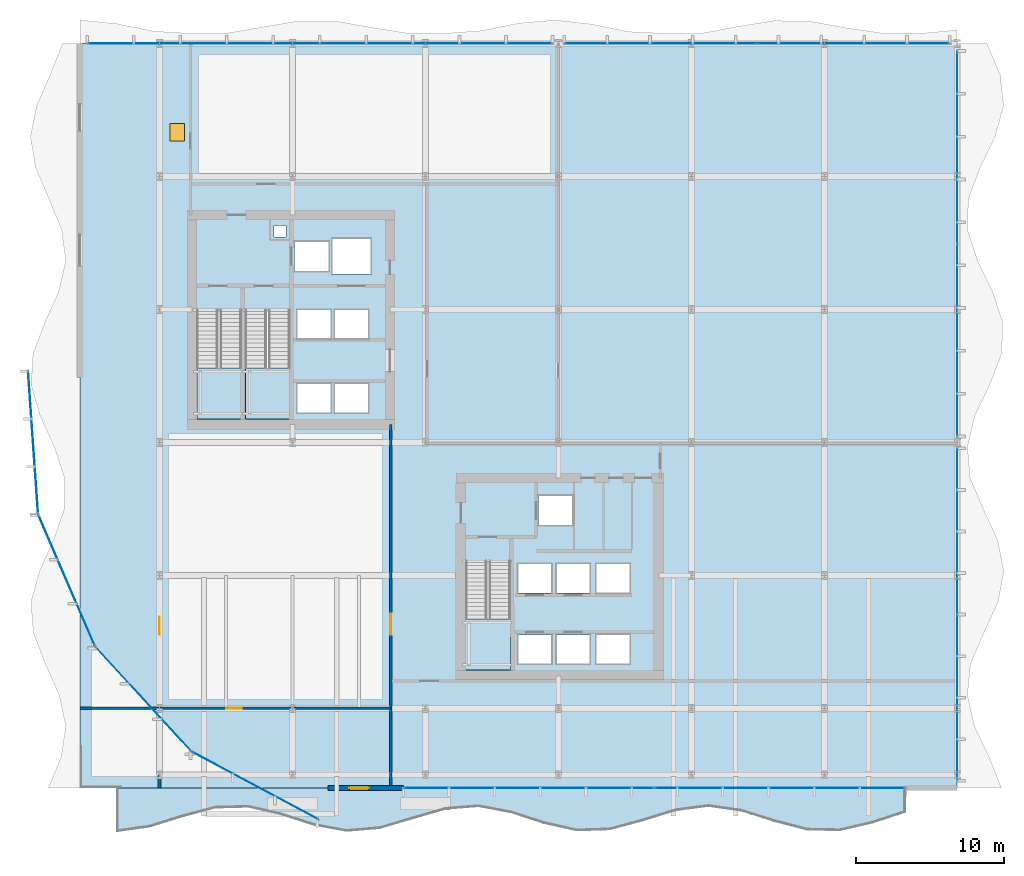
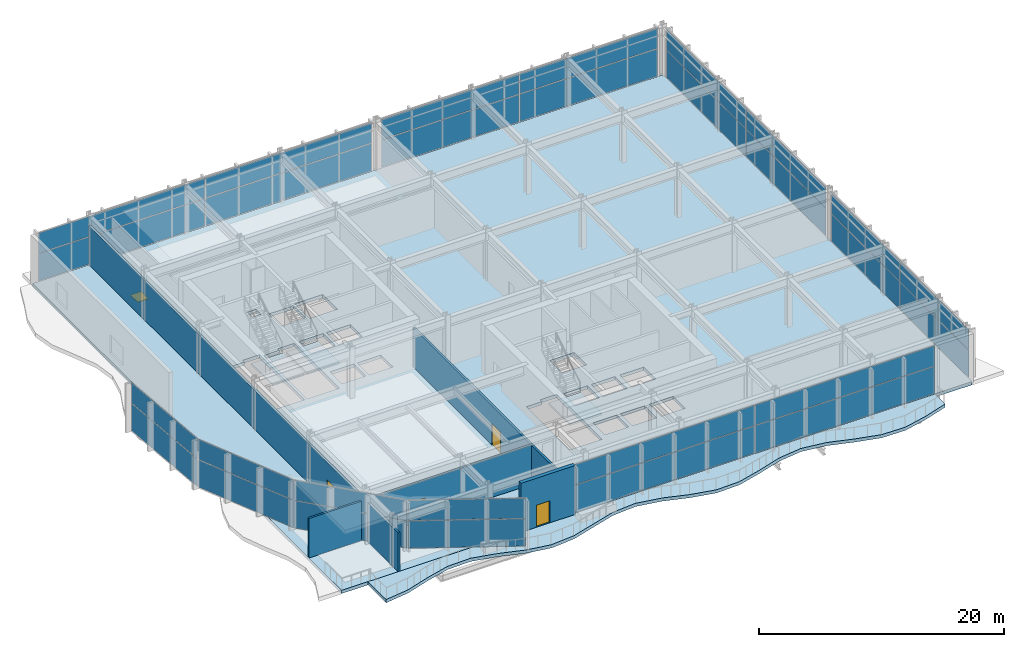
# One storey, part 22 of 31: 28 plates, 5 doors, 5 slabs, 4 walls, 5 openings, 12 elements without a shape of their own.
"""IFC4 building model written with IfcOpenShell, lengths in metres."""

from ifc_helpers import new_model, si_unit, direction, frame, frame_2d, origin, origin_2d, place, context, subcontext, project, spatial, polyline, rectangle, outline, extrude, material, layer, layer_set, type_object, element, fill, aggregate, save


model = new_model("IFC4")

# Units and contexts
model_context = context("Model", 3, precision=1e-05, world=origin(), true_north=direction((0.0, 1.0)))
body_context = subcontext(model_context, "Body", "Model", "MODEL_VIEW")
ifc_project = project(units=[si_unit("LENGTHUNIT", "METRE"), si_unit("AREAUNIT", "SQUARE_METRE"), si_unit("VOLUMEUNIT", "CUBIC_METRE"), si_unit("PLANEANGLEUNIT", "RADIAN"), si_unit("MASSUNIT", "GRAM", prefix="KILO")], contexts=[model_context])

# Site, building, storey
site_placement = place(None, origin())
site = spatial("IfcSite", under=ifc_project, at=site_placement, CompositionType="ELEMENT")
building_placement = place(site_placement, origin())
building = spatial("IfcBuilding", under=site, at=building_placement, Name="Solvaryn Broadcast Tower", CompositionType="ELEMENT")
storey_placement = place(building_placement, frame((0.0, 0.0, 11.0)))
storey = spatial("IfcBuildingStorey", under=building, at=storey_placement, Name="L02", CompositionType="ELEMENT", Elevation=11.0)

# Curtain wall, plates
ifc_material_1 = material(Name="Aluminium and Terracotta Unitised Curtain Wall", Category="masonry")
ifc_layer_1 = layer(ifc_material_1, 0.219970703125)
ifc_layer_set_1 = layer_set([ifc_layer_1], Name="CW-SYS1-PODIUM")
curtain_wall_type = type_object("IfcCurtainWallType", Name="CW-SYS1-PODIUM", PredefinedType="NOTDEFINED", material=ifc_layer_set_1)
curtain_wall_1_placement = place(storey_placement, origin())
curtain_wall_1 = element("IfcCurtainWall", 1, at=curtain_wall_1_placement, inside=storey, type_object=curtain_wall_type, Name="L02 Podium Curtain Wall S1", PredefinedType="NOTDEFINED")
ifc_material_2 = material(Name="Low-Iron Insulated Vision Glass", Category="glass")
ifc_layer_2 = layer(ifc_material_2, 0.035888671875)
ifc_layer_set_2 = layer_set([ifc_layer_2], Name="CW-PNL-VISION")
plate_type = type_object("IfcPlateType", Name="CW-PNL-VISION", PredefinedType="CURTAIN_PANEL", material=ifc_layer_set_2)
plate_1_placement = place(storey_placement, frame((50.985107421875, 3.60009765625, 0.06005859375), z_axis=(0.0, 0.0, 1.0), x_axis=(-1.0, 0.0, 0.0)))
plate_1 = element("IfcPlate", 2, at=plate_1_placement, type_object=plate_type, Name="CWS1 panel 1.1", PredefinedType="CURTAIN_PANEL", context=body_context, shape_type="SweptSolid", body=[
    extrude(rectangle(XDim=16.909912109375, YDim=0.028076171875, at=origin_2d()), origin(), (0.0, 0.0, 1.0), 2.7099609375),
])
plate_2_placement = place(storey_placement, frame((50.985107421875, 3.60009765625, 2.830078125), z_axis=(0.0, 0.0, 1.0), x_axis=(-1.0, 0.0, 0.0)))
plate_2 = element("IfcPlate", 3, at=plate_2_placement, type_object=plate_type, Name="CWS1 panel 1.2", PredefinedType="CURTAIN_PANEL", context=body_context, shape_type="SweptSolid", body=[
    extrude(rectangle(XDim=16.909912109375, YDim=0.028076171875, at=origin_2d()), origin(), (0.0, 0.0, 1.0), 1.989990234375),
])
plate_3_placement = place(storey_placement, frame((34.014892578125, 3.60009765625, 0.06005859375), z_axis=(0.0, 0.0, 1.0), x_axis=(-1.0, 0.0, 0.0)))
plate_3 = element("IfcPlate", 4, at=plate_3_placement, type_object=plate_type, Name="CWS1 panel 2.1", PredefinedType="CURTAIN_PANEL", context=body_context, shape_type="SweptSolid", body=[
    extrude(rectangle(XDim=16.909912109375, YDim=0.028076171875, at=origin_2d()), origin(), (0.0, 0.0, 1.0), 2.7099609375),
])
plate_4_placement = place(storey_placement, frame((34.014892578125, 3.60009765625, 2.830078125), z_axis=(0.0, 0.0, 1.0), x_axis=(-1.0, 0.0, 0.0)))
plate_4 = element("IfcPlate", 5, at=plate_4_placement, type_object=plate_type, Name="CWS1 panel 2.2", PredefinedType="CURTAIN_PANEL", context=body_context, shape_type="SweptSolid", body=[
    extrude(rectangle(XDim=16.909912109375, YDim=0.028076171875, at=origin_2d()), origin(), (0.0, 0.0, 1.0), 1.989990234375),
])
aggregate(curtain_wall_1, [plate_1, plate_2, plate_3, plate_4])

curtain_wall_2_placement = place(storey_placement, origin())
curtain_wall_2 = element("IfcCurtainWall", 6, at=curtain_wall_2_placement, inside=storey, type_object=curtain_wall_type, Name="L02 Podium Curtain Wall N1", PredefinedType="NOTDEFINED")
plate_5_placement = place(storey_placement, frame((11.989990234375, 54.0, 0.06005859375), z_axis=(0.0, 0.0, 1.0), x_axis=(1.0, 0.0, 0.0)))
plate_5 = element("IfcPlate", 7, at=plate_5_placement, type_object=plate_type, Name="CWS1 panel 1.1", PredefinedType="CURTAIN_PANEL", context=body_context, shape_type="SweptSolid", body=[
    extrude(rectangle(XDim=15.659912109375, YDim=0.028076171875, at=origin_2d()), origin(), (0.0, 0.0, 1.0), 2.7099609375),
])
plate_6_placement = place(storey_placement, frame((11.989990234375, 54.0, 2.830078125), z_axis=(0.0, 0.0, 1.0), x_axis=(1.0, 0.0, 0.0)))
plate_6 = element("IfcPlate", 8, at=plate_6_placement, type_object=plate_type, Name="CWS1 panel 1.2", PredefinedType="CURTAIN_PANEL", context=body_context, shape_type="SweptSolid", body=[
    extrude(rectangle(XDim=15.659912109375, YDim=0.028076171875, at=origin_2d()), origin(), (0.0, 0.0, 1.0), 1.989990234375),
])
plate_7_placement = place(storey_placement, frame((27.7099609375, 54.0, 0.06005859375), z_axis=(0.0, 0.0, 1.0), x_axis=(1.0, 0.0, 0.0)))
plate_7 = element("IfcPlate", 9, at=plate_7_placement, type_object=plate_type, Name="CWS1 panel 2.1", PredefinedType="CURTAIN_PANEL", context=body_context, shape_type="SweptSolid", body=[
    extrude(rectangle(XDim=15.659912109375, YDim=0.028076171875, at=origin_2d()), origin(), (0.0, 0.0, 1.0), 2.7099609375),
])
plate_8_placement = place(storey_placement, frame((27.7099609375, 54.0, 2.830078125), z_axis=(0.0, 0.0, 1.0), x_axis=(1.0, 0.0, 0.0)))
plate_8 = element("IfcPlate", 10, at=plate_8_placement, type_object=plate_type, Name="CWS1 panel 2.2", PredefinedType="CURTAIN_PANEL", context=body_context, shape_type="SweptSolid", body=[
    extrude(rectangle(XDim=15.659912109375, YDim=0.028076171875, at=origin_2d()), origin(), (0.0, 0.0, 1.0), 1.989990234375),
])
aggregate(curtain_wall_2, [plate_5, plate_6, plate_7, plate_8])

curtain_wall_3_placement = place(storey_placement, origin())
curtain_wall_3 = element("IfcCurtainWall", 11, at=curtain_wall_3_placement, inside=storey, type_object=curtain_wall_type, Name="L02 Podium Curtain Wall N2", PredefinedType="NOTDEFINED")
plate_9_placement = place(storey_placement, frame((42.93994140625, 54.0, 0.06005859375), z_axis=(0.0, 0.0, 1.0), x_axis=(1.0, 0.0, 0.0)))
plate_9 = element("IfcPlate", 12, at=plate_9_placement, type_object=plate_type, Name="CWS1 panel 1.1", PredefinedType="CURTAIN_PANEL", context=body_context, shape_type="SweptSolid", body=[
    extrude(rectangle(XDim=12.9599609375, YDim=0.028076171875, at=origin_2d()), origin(), (0.0, 0.0, 1.0), 2.7099609375),
])
plate_10_placement = place(storey_placement, frame((42.93994140625, 54.0, 2.830078125), z_axis=(0.0, 0.0, 1.0), x_axis=(1.0, 0.0, 0.0)))
plate_10 = element("IfcPlate", 13, at=plate_10_placement, type_object=plate_type, Name="CWS1 panel 1.2", PredefinedType="CURTAIN_PANEL", context=body_context, shape_type="SweptSolid", body=[
    extrude(rectangle(XDim=12.9599609375, YDim=0.028076171875, at=origin_2d()), origin(), (0.0, 0.0, 1.0), 1.989990234375),
])
plate_11_placement = place(storey_placement, frame((55.9599609375, 54.0, 0.06005859375), z_axis=(0.0, 0.0, 1.0), x_axis=(1.0, 0.0, 0.0)))
plate_11 = element("IfcPlate", 14, at=plate_11_placement, type_object=plate_type, Name="CWS1 panel 2.1", PredefinedType="CURTAIN_PANEL", context=body_context, shape_type="SweptSolid", body=[
    extrude(rectangle(XDim=12.9599609375, YDim=0.028076171875, at=origin_2d()), origin(), (0.0, 0.0, 1.0), 2.7099609375),
])
plate_12_placement = place(storey_placement, frame((55.9599609375, 54.0, 2.830078125), z_axis=(0.0, 0.0, 1.0), x_axis=(1.0, 0.0, 0.0)))
plate_12 = element("IfcPlate", 15, at=plate_12_placement, type_object=plate_type, Name="CWS1 panel 2.2", PredefinedType="CURTAIN_PANEL", context=body_context, shape_type="SweptSolid", body=[
    extrude(rectangle(XDim=12.9599609375, YDim=0.028076171875, at=origin_2d()), origin(), (0.0, 0.0, 1.0), 1.989990234375),
])
aggregate(curtain_wall_3, [plate_9, plate_10, plate_11, plate_12])

curtain_wall_4_placement = place(storey_placement, origin())
curtain_wall_4 = element("IfcCurtainWall", 16, at=curtain_wall_4_placement, inside=storey, type_object=curtain_wall_type, Name="L02 Podium Curtain Wall E1", PredefinedType="NOTDEFINED")
plate_13_placement = place(storey_placement, frame((63.0, 46.9599609375, 0.06005859375), z_axis=(0.0, 0.0, 1.0), x_axis=(0.0, -1.0, 0.0)))
plate_13 = element("IfcPlate", 17, at=plate_13_placement, type_object=plate_type, Name="CWS1 panel 1.1", PredefinedType="CURTAIN_PANEL", context=body_context, shape_type="SweptSolid", body=[
    extrude(rectangle(XDim=12.9599609375, YDim=0.028076171875, at=origin_2d()), origin(), (0.0, 0.0, 1.0), 2.7099609375),
])
plate_14_placement = place(storey_placement, frame((63.0, 46.9599609375, 2.830078125), z_axis=(0.0, 0.0, 1.0), x_axis=(0.0, -1.0, 0.0)))
plate_14 = element("IfcPlate", 18, at=plate_14_placement, type_object=plate_type, Name="CWS1 panel 1.2", PredefinedType="CURTAIN_PANEL", context=body_context, shape_type="SweptSolid", body=[
    extrude(rectangle(XDim=12.9599609375, YDim=0.028076171875, at=origin_2d()), origin(), (0.0, 0.0, 1.0), 1.989990234375),
])
plate_15_placement = place(storey_placement, frame((63.0, 33.93994140625, 0.06005859375), z_axis=(0.0, 0.0, 1.0), x_axis=(0.0, -1.0, 0.0)))
plate_15 = element("IfcPlate", 19, at=plate_15_placement, type_object=plate_type, Name="CWS1 panel 2.1", PredefinedType="CURTAIN_PANEL", context=body_context, shape_type="SweptSolid", body=[
    extrude(rectangle(XDim=12.9599609375, YDim=0.028076171875, at=origin_2d()), origin(), (0.0, 0.0, 1.0), 2.7099609375),
])
plate_16_placement = place(storey_placement, frame((63.0, 33.93994140625, 2.830078125), z_axis=(0.0, 0.0, 1.0), x_axis=(0.0, -1.0, 0.0)))
plate_16 = element("IfcPlate", 20, at=plate_16_placement, type_object=plate_type, Name="CWS1 panel 2.2", PredefinedType="CURTAIN_PANEL", context=body_context, shape_type="SweptSolid", body=[
    extrude(rectangle(XDim=12.9599609375, YDim=0.028076171875, at=origin_2d()), origin(), (0.0, 0.0, 1.0), 1.989990234375),
])
aggregate(curtain_wall_4, [plate_13, plate_14, plate_15, plate_16])

curtain_wall_5_placement = place(storey_placement, origin())
curtain_wall_5 = element("IfcCurtainWall", 21, at=curtain_wall_5_placement, inside=storey, type_object=curtain_wall_type, Name="L02 Podium Curtain Wall E2", PredefinedType="NOTDEFINED")
plate_17_placement = place(storey_placement, frame((63.0, 20.9599609375, 0.06005859375), z_axis=(0.0, 0.0, 1.0), x_axis=(0.0, -1.0, 0.0)))
plate_17 = element("IfcPlate", 22, at=plate_17_placement, type_object=plate_type, Name="CWS1 panel 1.1", PredefinedType="CURTAIN_PANEL", context=body_context, shape_type="SweptSolid", body=[
    extrude(rectangle(XDim=11.159912109375, YDim=0.028076171875, at=origin_2d()), origin(), (0.0, 0.0, 1.0), 2.7099609375),
])
plate_18_placement = place(storey_placement, frame((63.0, 20.9599609375, 2.830078125), z_axis=(0.0, 0.0, 1.0), x_axis=(0.0, -1.0, 0.0)))
plate_18 = element("IfcPlate", 23, at=plate_18_placement, type_object=plate_type, Name="CWS1 panel 1.2", PredefinedType="CURTAIN_PANEL", context=body_context, shape_type="SweptSolid", body=[
    extrude(rectangle(XDim=11.159912109375, YDim=0.028076171875, at=origin_2d()), origin(), (0.0, 0.0, 1.0), 1.989990234375),
])
plate_19_placement = place(storey_placement, frame((63.0, 9.739990234375, 0.06005859375), z_axis=(0.0, 0.0, 1.0), x_axis=(0.0, -1.0, 0.0)))
plate_19 = element("IfcPlate", 24, at=plate_19_placement, type_object=plate_type, Name="CWS1 panel 2.1", PredefinedType="CURTAIN_PANEL", context=body_context, shape_type="SweptSolid", body=[
    extrude(rectangle(XDim=11.159912109375, YDim=0.028076171875, at=origin_2d()), origin(), (0.0, 0.0, 1.0), 2.7099609375),
])
plate_20_placement = place(storey_placement, frame((63.0, 9.739990234375, 2.830078125), z_axis=(0.0, 0.0, 1.0), x_axis=(0.0, -1.0, 0.0)))
plate_20 = element("IfcPlate", 25, at=plate_20_placement, type_object=plate_type, Name="CWS1 panel 2.2", PredefinedType="CURTAIN_PANEL", context=body_context, shape_type="SweptSolid", body=[
    extrude(rectangle(XDim=11.159912109375, YDim=0.028076171875, at=origin_2d()), origin(), (0.0, 0.0, 1.0), 1.989990234375),
])
aggregate(curtain_wall_5, [plate_17, plate_18, plate_19, plate_20])

curtain_wall_6_placement = place(storey_placement, origin())
curtain_wall_6 = element("IfcCurtainWall", 26, at=curtain_wall_6_placement, inside=storey, type_object=curtain_wall_type, Name="L02 Podium Curtain Wall DC1", PredefinedType="NOTDEFINED")
plate_21_placement = place(storey_placement, frame((0.4404296875, 26.993896484375, 0.06005859375), z_axis=(0.0, 0.0, 1.0), x_axis=(0.070019436418, -0.997545627289, 0.0)))
plate_21 = element("IfcPlate", 27, at=plate_21_placement, type_object=plate_type, Name="CWS1 panel 1.1", PredefinedType="CURTAIN_PANEL", context=body_context, shape_type="SweptSolid", body=[
    extrude(rectangle(XDim=9.60595703125, YDim=0.028076171875, at=origin_2d()), origin(), (0.0, 0.0, 1.0), 2.7099609375),
])
plate_22_placement = place(storey_placement, frame((0.4404296875, 26.993896484375, 2.830078125), z_axis=(0.0, 0.0, 1.0), x_axis=(0.070019436418, -0.997545627289, 0.0)))
plate_22 = element("IfcPlate", 28, at=plate_22_placement, type_object=plate_type, Name="CWS1 panel 1.2", PredefinedType="CURTAIN_PANEL", context=body_context, shape_type="SweptSolid", body=[
    extrude(rectangle(XDim=9.60595703125, YDim=0.028076171875, at=origin_2d()), origin(), (0.0, 0.0, 1.0), 1.989990234375),
])
aggregate(curtain_wall_6, [plate_21, plate_22])

curtain_wall_7_placement = place(storey_placement, origin())
curtain_wall_7 = element("IfcCurtainWall", 29, at=curtain_wall_7_placement, inside=storey, type_object=curtain_wall_type, Name="L02 Podium Curtain Wall DC2", PredefinedType="NOTDEFINED")
plate_23_placement = place(storey_placement, frame((2.70458984375, 17.676513671875, 0.06005859375), z_axis=(0.0, 0.0, 1.0), x_axis=(0.395531834117, -0.918452267786, 0.0)))
plate_23 = element("IfcPlate", 30, at=plate_23_placement, type_object=plate_type, Name="CWS1 panel 1.1", PredefinedType="CURTAIN_PANEL", context=body_context, shape_type="SweptSolid", body=[
    extrude(rectangle(XDim=9.606201171875, YDim=0.028076171875, at=origin_2d()), origin(), (0.0, 0.0, 1.0), 2.7099609375),
])
plate_24_placement = place(storey_placement, frame((2.70458984375, 17.676513671875, 2.830078125), z_axis=(0.0, 0.0, 1.0), x_axis=(0.395531834117, -0.918452267786, 0.0)))
plate_24 = element("IfcPlate", 31, at=plate_24_placement, type_object=plate_type, Name="CWS1 panel 1.2", PredefinedType="CURTAIN_PANEL", context=body_context, shape_type="SweptSolid", body=[
    extrude(rectangle(XDim=9.606201171875, YDim=0.028076171875, at=origin_2d()), origin(), (0.0, 0.0, 1.0), 1.989990234375),
])
aggregate(curtain_wall_7, [plate_23, plate_24])

curtain_wall_8_placement = place(storey_placement, origin())
curtain_wall_8 = element("IfcCurtainWall", 32, at=curtain_wall_8_placement, inside=storey, type_object=curtain_wall_type, Name="L02 Podium Curtain Wall DC3", PredefinedType="NOTDEFINED")
plate_25_placement = place(storey_placement, frame((7.91796875, 9.62890625, 0.06005859375), z_axis=(0.0, 0.0, 1.0), x_axis=(0.676552966228, -0.736393973283, 0.0)))
plate_25 = element("IfcPlate", 33, at=plate_25_placement, type_object=plate_type, Name="CWS1 panel 1.1", PredefinedType="CURTAIN_PANEL", context=body_context, shape_type="SweptSolid", body=[
    extrude(rectangle(XDim=9.605712890625, YDim=0.028076171875, at=origin_2d()), origin(), (0.0, 0.0, 1.0), 2.7099609375),
])
plate_26_placement = place(storey_placement, frame((7.91796875, 9.62890625, 2.830078125), z_axis=(0.0, 0.0, 1.0), x_axis=(0.676552966228, -0.736393973283, 0.0)))
plate_26 = element("IfcPlate", 34, at=plate_26_placement, type_object=plate_type, Name="CWS1 panel 1.2", PredefinedType="CURTAIN_PANEL", context=body_context, shape_type="SweptSolid", body=[
    extrude(rectangle(XDim=9.605712890625, YDim=0.028076171875, at=origin_2d()), origin(), (0.0, 0.0, 1.0), 1.989990234375),
])
aggregate(curtain_wall_8, [plate_25, plate_26])

curtain_wall_9_placement = place(storey_placement, origin())
curtain_wall_9 = element("IfcCurtainWall", 35, at=curtain_wall_9_placement, inside=storey, type_object=curtain_wall_type, Name="L02 Podium Curtain Wall DC4", PredefinedType="NOTDEFINED")
plate_27_placement = place(storey_placement, frame((15.49609375, 3.75439453125, 0.06005859375), z_axis=(0.0, 0.0, 1.0), x_axis=(0.881791603216, -0.471639235536, 0.0)))
plate_27 = element("IfcPlate", 36, at=plate_27_placement, type_object=plate_type, Name="CWS1 panel 1.1", PredefinedType="CURTAIN_PANEL", context=body_context, shape_type="SweptSolid", body=[
    extrude(rectangle(XDim=9.605712890625, YDim=0.028076171875, at=origin_2d()), origin(), (0.0, 0.0, 1.0), 2.7099609375),
])
plate_28_placement = place(storey_placement, frame((15.49609375, 3.75439453125, 2.830078125), z_axis=(0.0, 0.0, 1.0), x_axis=(0.881791603216, -0.471639235536, 0.0)))
plate_28 = element("IfcPlate", 37, at=plate_28_placement, type_object=plate_type, Name="CWS1 panel 1.2", PredefinedType="CURTAIN_PANEL", context=body_context, shape_type="SweptSolid", body=[
    extrude(rectangle(XDim=9.605712890625, YDim=0.028076171875, at=origin_2d()), origin(), (0.0, 0.0, 1.0), 1.989990234375),
])
aggregate(curtain_wall_9, [plate_27, plate_28])

# Stair, slab
ifc_material_3 = material(Name="Concrete f'c 60 MPa", Category="concrete")
stair_type = type_object("IfcStairType", Name="ST-CORE", PredefinedType="HALF_TURN_STAIR", material=ifc_material_3)
stair_1_placement = place(storey_placement, origin())
stair_1 = element("IfcStair", 38, at=stair_1_placement, inside=storey, type_object=stair_type, Name="L02 ST1", PredefinedType="HALF_TURN_STAIR")
ifc_material_4 = material(Name="Concrete f'c 60 MPa", Category="concrete")
ifc_layer_3 = layer(ifc_material_4, 0.199951171875)
ifc_layer_set_3 = layer_set([ifc_layer_3], Name="SL-LANDING-200")
slab_type_1 = type_object("IfcSlabType", Name="SL-LANDING-200", PredefinedType="LANDING", material=ifc_layer_set_3)
slab_1_placement = place(storey_placement, frame((0.0, 0.0, 2.39990234375)))
slab_1 = element("IfcSlab", 39, at=slab_1_placement, type_object=slab_type_1, Name="ST1 landing 1", PredefinedType="LANDING", context=body_context, shape_type="SweptSolid", body=[
    extrude(outline(polyline([(11.52001953125, 32.0400390625), (11.52001953125, 28.60009765625), (14.550048828125, 28.60009765625), (14.550048828125, 32.0400390625), (11.52001953125, 32.0400390625)])), origin(), (0.0, 0.0, 1.0), 0.2001953125),
])
aggregate(stair_1, [slab_1])

stair_2_placement = place(storey_placement, origin())
stair_2 = element("IfcStair", 40, at=stair_2_placement, inside=storey, type_object=stair_type, Name="L02 ST2", PredefinedType="HALF_TURN_STAIR")
slab_2_placement = place(storey_placement, frame((0.0, 0.0, 2.39990234375)))
slab_2 = element("IfcSlab", 41, at=slab_2_placement, type_object=slab_type_1, Name="ST2 landing 1", PredefinedType="LANDING", context=body_context, shape_type="SweptSolid", body=[
    extrude(outline(polyline([(14.800048828125, 32.0400390625), (14.800048828125, 28.60009765625), (17.830078125, 28.60009765625), (17.830078125, 32.0400390625), (14.800048828125, 32.0400390625)])), origin(), (0.0, 0.0, 1.0), 0.2001953125),
])
aggregate(stair_2, [slab_2])

stair_3_placement = place(storey_placement, origin())
stair_3 = element("IfcStair", 42, at=stair_3_placement, inside=storey, type_object=stair_type, Name="L02 ST3", PredefinedType="HALF_TURN_STAIR")
slab_3_placement = place(storey_placement, frame((0.0, 0.0, 2.39990234375)))
slab_3 = element("IfcSlab", 43, at=slab_3_placement, type_object=slab_type_1, Name="ST3 landing 1", PredefinedType="LANDING", context=body_context, shape_type="SweptSolid", body=[
    extrude(outline(polyline([(29.719970703125, 15.0400390625), (29.719970703125, 11.60009765625), (32.75, 11.60009765625), (32.75, 15.0400390625), (29.719970703125, 15.0400390625)])), origin(), (0.0, 0.0, 1.0), 0.2001953125),
])
aggregate(stair_3, [slab_3])

# Slab, opening, door
ifc_material_5 = material(Name="Concrete f'c 60 MPa", Category="concrete")
ifc_layer_4 = layer(ifc_material_5, 0.320068359375)
ifc_layer_set_4 = layer_set([ifc_layer_4], Name="SL-POD-320")
slab_type_2 = type_object("IfcSlabType", Name="SL-POD-320", PredefinedType="FLOOR", material=ifc_layer_set_4)
slab_4_placement = place(storey_placement, frame((0.0, 0.0, -0.320068359375)))
slab_4 = element("IfcSlab", 44, at=slab_4_placement, inside=storey, type_object=slab_type_2, Name="L02 Structural Floor Slab", PredefinedType="FLOOR", context=body_context, shape_type="SweptSolid", body=[
    extrude(outline(polyline([(3.60009765625, 3.60009765625), (63.0, 3.60009765625), (63.0, 54.0), (3.60009765625, 54.0), (3.60009765625, 3.60009765625)]), holes=[polyline([(11.52001953125, 28.60009765625), (14.550048828125, 28.60009765625), (14.550048828125, 35.9599609375), (12.97998046875, 35.9599609375), (12.97998046875, 35.679931640625), (11.52001953125, 35.679931640625), (11.52001953125, 28.60009765625)]), polyline([(14.800048828125, 28.60009765625), (17.830078125, 28.60009765625), (17.830078125, 35.9599609375), (16.260009765625, 35.9599609375), (16.260009765625, 35.679931640625), (14.800048828125, 35.679931640625), (14.800048828125, 28.60009765625)]), polyline([(29.719970703125, 11.60009765625), (32.75, 11.60009765625), (32.75, 18.9599609375), (31.179931640625, 18.9599609375), (31.179931640625, 18.679931640625), (29.719970703125, 18.679931640625), (29.719970703125, 11.60009765625)]), polyline([(18.14990234375, 38.60009765625), (20.449951171875, 38.60009765625), (20.449951171875, 40.60009765625), (18.14990234375, 40.60009765625), (18.14990234375, 38.60009765625)]), polyline([(20.699951171875, 38.39990234375), (23.300048828125, 38.39990234375), (23.300048828125, 40.800048828125), (20.699951171875, 40.800048828125), (20.699951171875, 38.39990234375)]), polyline([(18.324951171875, 29.02490234375), (20.574951171875, 29.02490234375), (20.574951171875, 30.97509765625), (18.324951171875, 30.97509765625), (18.324951171875, 29.02490234375)]), polyline([(20.875, 29.02490234375), (23.125, 29.02490234375), (23.125, 30.97509765625), (20.875, 30.97509765625), (20.875, 29.02490234375)]), polyline([(18.324951171875, 34.02490234375), (20.574951171875, 34.02490234375), (20.574951171875, 35.97509765625), (18.324951171875, 35.97509765625), (18.324951171875, 34.02490234375)]), polyline([(20.875, 34.02490234375), (23.125, 34.02490234375), (23.125, 35.97509765625), (20.875, 35.97509765625), (20.875, 34.02490234375)]), polyline([(34.64990234375, 21.39990234375), (36.949951171875, 21.39990234375), (36.949951171875, 23.39990234375), (34.64990234375, 23.39990234375), (34.64990234375, 21.39990234375)]), polyline([(33.27490234375, 12.02490234375), (35.52490234375, 12.02490234375), (35.52490234375, 13.97509765625), (33.27490234375, 13.97509765625), (33.27490234375, 12.02490234375)]), polyline([(35.875, 12.02490234375), (38.125, 12.02490234375), (38.125, 13.97509765625), (35.875, 13.97509765625), (35.875, 12.02490234375)]), polyline([(33.27490234375, 16.824951171875), (35.52490234375, 16.824951171875), (35.52490234375, 18.77490234375), (33.27490234375, 18.77490234375), (33.27490234375, 16.824951171875)]), polyline([(35.875, 16.824951171875), (38.125, 16.824951171875), (38.125, 18.77490234375), (35.875, 18.77490234375), (35.875, 16.824951171875)]), polyline([(38.574951171875, 12.02490234375), (40.824951171875, 12.02490234375), (40.824951171875, 13.97509765625), (38.574951171875, 13.97509765625), (38.574951171875, 12.02490234375)]), polyline([(38.574951171875, 16.824951171875), (40.824951171875, 16.824951171875), (40.824951171875, 18.77490234375), (38.574951171875, 18.77490234375), (38.574951171875, 16.824951171875)]), polyline([(16.75, 40.89990234375), (17.550048828125, 40.89990234375), (17.550048828125, 41.699951171875), (16.75, 41.699951171875), (16.75, 40.89990234375)])]), origin(), (0.0, 0.0, 1.0), 0.320068359375),
])
opening_1_placement = place(slab_4_placement, frame((10.199951171875, 48.0, 0.0)))
opening_1 = element("IfcOpeningElement", 45, at=opening_1_placement, cuts=slab_4, Name="Opening HT01", PredefinedType="OPENING", context=body_context, shape_type="SweptSolid", body=[
    extrude(rectangle(XDim=1.0, YDim=1.199951171875, at=origin_2d()), origin(), (0.0, 0.0, 1.0), 0.320068359375),
])
ifc_material_6 = material(Name="Insulated Architectural Aluminium and Glazing", Category="aluminium")
door_type_1 = type_object("IfcDoorType", Name="ED-HATCH-1000X1200", OperationType="NOTDEFINED", PredefinedType="TRAPDOOR", material=ifc_material_6)
door_1_placement = place(opening_1_placement, frame((0.0, 0.0, 0.27001953125)))
door_1 = element("IfcDoor", 46, at=door_1_placement, inside=storey, type_object=door_type_1, Name="L02 Acoustic Plenum Access Trapdoor", OperationType="SINGLE_SWING_LEFT", OverallHeight=1.199951171875, OverallWidth=1.0, PredefinedType="TRAPDOOR", context=body_context, shape_type="SweptSolid", body=[
    extrude(rectangle(XDim=1.0, YDim=1.199951171875, at=origin_2d()), origin(), (0.0, 0.0, 1.0), 0.050048828125),
])
fill(opening_1, door_1)

# Slab
ifc_material_7 = material(Name="Concrete f'c 60 MPa", Category="concrete")
ifc_layer_5 = layer(ifc_material_7, 0.260009765625)
ifc_layer_set_5 = layer_set([ifc_layer_5], Name="SL-TER-260")
slab_type_3 = type_object("IfcSlabType", Name="SL-TER-260", PredefinedType="FLOOR", material=ifc_layer_set_5)
slab_5_placement = place(storey_placement, frame((0.0, 0.0, -0.320068359375)))
element("IfcSlab", 47, at=slab_5_placement, inside=storey, type_object=slab_type_3, Name="L02 Wave-Edged Terrace Slab TS02S", PredefinedType="FLOOR", context=body_context, shape_type="SweptSolid", body=[
    extrude(outline(polyline([(6.10009765625, 0.64990234375), (8.324951171875, 0.9541015625), (10.550048828125, 1.64892578125), (12.77490234375, 2.238037109375), (15.0, 2.297119140625), (17.22509765625, 1.785888671875), (19.449951171875, 1.070068359375), (21.675048828125, 0.662109375), (23.89990234375, 0.85400390625), (26.125, 1.508056640625), (28.35009765625, 2.156982421875), (30.574951171875, 2.3349609375), (32.800048828125, 1.9150390625), (35.02490234375, 1.197998046875), (37.25, 0.697021484375), (39.47509765625, 0.77099609375), (41.699951171875, 1.366943359375), (43.925048828125, 2.05810546875), (46.14990234375, 2.35009765625), (48.375, 2.032958984375), (50.60009765625, 1.333984375), (52.824951171875, 0.75390625), (55.050048828125, 0.7080078125), (57.27490234375, 1.22900390625), (59.5, 1.944091796875), (59.5, 3.60009765625), (57.27490234375, 3.60009765625), (55.050048828125, 3.60009765625), (52.824951171875, 3.60009765625), (50.60009765625, 3.60009765625), (48.375, 3.60009765625), (46.14990234375, 3.60009765625), (43.925048828125, 3.60009765625), (41.699951171875, 3.60009765625), (39.47509765625, 3.60009765625), (37.25, 3.60009765625), (35.02490234375, 3.60009765625), (32.800048828125, 3.60009765625), (30.574951171875, 3.60009765625), (28.35009765625, 3.60009765625), (26.125, 3.60009765625), (23.89990234375, 3.60009765625), (21.675048828125, 3.60009765625), (19.449951171875, 3.60009765625), (17.22509765625, 3.60009765625), (15.0, 3.60009765625), (12.77490234375, 3.60009765625), (10.550048828125, 3.60009765625), (8.324951171875, 3.60009765625), (6.10009765625, 3.60009765625), (6.10009765625, 0.64990234375)])), origin(), (0.0, 0.0, 1.0), 0.320068359375),
])

# Wall, opening, door
ifc_material_8 = material(Name="Concrete f'c 50 MPa", Category="concrete")
ifc_layer_6 = layer(ifc_material_8, 0.35009765625)
ifc_layer_set_6 = layer_set([ifc_layer_6], Name="EW-STUDIO-350")
wall_type_1 = type_object("IfcWallType", Name="EW-STUDIO-350", PredefinedType="SOLIDWALL", material=ifc_layer_set_6)
wall_1_placement = place(storey_placement, frame((25.5, 3.60009765625, 0.0), z_axis=(0.0, 0.0, 1.0), x_axis=(-1.0, 0.0, 0.0)))
wall_1 = element("IfcWall", 48, at=wall_1_placement, inside=storey, type_object=wall_type_1, Name="L02 Podium South Studio Pier Wall", PredefinedType="SOLIDWALL", context=body_context, shape_type="SweptSolid", body=[
    extrude(rectangle(XDim=5.10009765625, YDim=0.35009765625, at=frame_2d((2.550048828125, 0.0))), origin(), (0.0, 0.0, 1.0), 4.8798828125),
])
opening_2_placement = place(wall_1_placement, frame((2.35009765625, 0.0, 0.0)))
opening_2 = element("IfcOpeningElement", 49, at=opening_2_placement, cuts=wall_1, Name="Opening EDT02", PredefinedType="OPENING", context=body_context, shape_type="SweptSolid", body=[
    extrude(rectangle(XDim=1.300048828125, YDim=2.199951171875, at=frame_2d((0.64990234375, 1.10009765625))), frame((0.0, 0.18505859375, 0.0), z_axis=(0.0, -1.0, 0.0), x_axis=(1.0, 0.0, 0.0)), (0.0, 0.0, 1.0), 0.3701171875),
])
ifc_material_9 = material(Name="Insulated Architectural Aluminium and Glazing", Category="aluminium")
door_type_2 = type_object("IfcDoorType", Name="ED-TER-1300X2200", OperationType="NOTDEFINED", PredefinedType="DOOR", material=ifc_material_9)
door_2_placement = place(opening_2_placement, origin())
door_2 = element("IfcDoor", 50, at=door_2_placement, inside=storey, type_object=door_type_2, Name="L02 South Cascading Terrace Door", OperationType="SINGLE_SWING_LEFT", OverallHeight=2.199951171875, OverallWidth=1.300048828125, PredefinedType="DOOR", context=body_context, shape_type="SweptSolid", body=[
    extrude(rectangle(XDim=1.300048828125, YDim=2.199951171875, at=frame_2d((0.64990234375, 1.10009765625))), frame((0.0, 0.02490234375, 0.0), z_axis=(0.0, -1.0, 0.0), x_axis=(1.0, 0.0, 0.0)), (0.0, 0.0, 1.0), 0.050048828125),
])
fill(opening_2, door_2)

ifc_material_10 = material(Name="Acoustic Metal-Stud Gypsum Partition")
ifc_layer_7 = layer(ifc_material_10, 0.179931640625)
ifc_layer_set_7 = layer_set([ifc_layer_7], Name="IW-PART-180")
wall_type_2 = type_object("IfcWallType", Name="IW-PART-180", PredefinedType="PARTITIONING", material=ifc_layer_set_7)
wall_2_placement = place(storey_placement, frame((24.64990234375, 3.60009765625, 0.0), z_axis=(0.0, 0.0, 1.0), x_axis=(0.0, 1.0, 0.0)))
wall_2 = element("IfcWall", 51, at=wall_2_placement, inside=storey, type_object=wall_type_2, Name="L02 Interior Partition IW-L02-PW1", PredefinedType="PARTITIONING", context=body_context, shape_type="SweptSolid", body=[
    extrude(rectangle(XDim=24.599853515625, YDim=0.179931640625, at=frame_2d((12.2998046875, 0.0))), origin(), (0.0, 0.0, 1.0), 3.912109375),
])
opening_3_placement = place(wall_2_placement, frame((10.39990234375, 0.0, 0.0)))
opening_3 = element("IfcOpeningElement", 52, at=opening_3_placement, cuts=wall_2, Name="Opening ID05", PredefinedType="OPENING", context=body_context, shape_type="SweptSolid", body=[
    extrude(rectangle(XDim=1.39990234375, YDim=2.14990234375, at=frame_2d((0.699951171875, 1.074951171875))), frame((0.0, 0.099853515625, 0.0), z_axis=(0.0, -1.0, 0.0), x_axis=(1.0, 0.0, 0.0)), (0.0, 0.0, 1.0), 0.199951171875),
])
ifc_material_11 = material(Name="Flush Acoustic Steel and Timber Door Assembly", Category="steel")
door_type_3 = type_object("IfcDoorType", Name="ID-05-1400X2150", OperationType="NOTDEFINED", PredefinedType="DOOR", material=ifc_material_11)
door_3_placement = place(opening_3_placement, origin())
door_3 = element("IfcDoor", 53, at=door_3_placement, inside=storey, type_object=door_type_3, Name="L02 Door DR-L02-PD1", OperationType="DOUBLE_DOOR_SINGLE_SWING", OverallHeight=2.14990234375, OverallWidth=1.39990234375, PredefinedType="DOOR", context=body_context, shape_type="SweptSolid", body=[
    extrude(rectangle(XDim=1.39990234375, YDim=2.14990234375, at=frame_2d((0.699951171875, 1.074951171875))), frame((0.0, 0.02490234375, 0.0), z_axis=(0.0, -1.0, 0.0), x_axis=(1.0, 0.0, 0.0)), (0.0, 0.0, 1.0), 0.050048828125),
])
fill(opening_3, door_3)

wall_3_placement = place(storey_placement, frame((9.0, 3.60009765625, 0.0), z_axis=(0.0, 0.0, 1.0), x_axis=(0.0, 1.0, 0.0)))
wall_3 = element("IfcWall", 54, at=wall_3_placement, inside=storey, type_object=wall_type_2, Name="L02 Interior Partition IW-L02-PWW", PredefinedType="PARTITIONING", context=body_context, shape_type="SweptSolid", body=[
    extrude(rectangle(XDim=50.39990234375, YDim=0.179931640625, at=frame_2d((25.199951171875, 0.0))), origin(), (0.0, 0.0, 1.0), 3.912109375),
])
opening_4_placement = place(wall_3_placement, frame((10.39990234375, 0.0, 0.0)))
opening_4 = element("IfcOpeningElement", 55, at=opening_4_placement, cuts=wall_3, Name="Opening ID04", PredefinedType="OPENING", context=body_context, shape_type="SweptSolid", body=[
    extrude(rectangle(XDim=1.199951171875, YDim=2.14990234375, at=frame_2d((0.60009765625, 1.074951171875))), frame((0.0, 0.099853515625, 0.0), z_axis=(0.0, -1.0, 0.0), x_axis=(1.0, 0.0, 0.0)), (0.0, 0.0, 1.0), 0.199951171875),
])
ifc_material_12 = material(Name="Flush Acoustic Steel and Timber Door Assembly", Category="steel")
door_type_4 = type_object("IfcDoorType", Name="ID-04-1200X2150", OperationType="NOTDEFINED", PredefinedType="DOOR", material=ifc_material_12)
door_4_placement = place(opening_4_placement, origin())
door_4 = element("IfcDoor", 56, at=door_4_placement, inside=storey, type_object=door_type_4, Name="L02 Door DR-L02-PDW", OperationType="SINGLE_SWING_RIGHT", OverallHeight=2.14990234375, OverallWidth=1.199951171875, PredefinedType="DOOR", context=body_context, shape_type="SweptSolid", body=[
    extrude(rectangle(XDim=1.199951171875, YDim=2.14990234375, at=frame_2d((0.60009765625, 1.074951171875))), frame((0.0, 0.02490234375, 0.0), z_axis=(0.0, -1.0, 0.0), x_axis=(1.0, 0.0, 0.0)), (0.0, 0.0, 1.0), 0.050048828125),
])
fill(opening_4, door_4)

wall_4_placement = place(storey_placement, frame((3.60009765625, 9.0, 0.0), z_axis=(0.0, 0.0, 1.0), x_axis=(1.0, 0.0, 0.0)))
wall_4 = element("IfcWall", 57, at=wall_4_placement, inside=storey, type_object=wall_type_2, Name="L02 Interior Partition IW-L02-PWS", PredefinedType="PARTITIONING", context=body_context, shape_type="SweptSolid", body=[
    extrude(rectangle(XDim=21.0498046875, YDim=0.179931640625, at=frame_2d((10.52490234375, 0.0))), origin(), (0.0, 0.0, 1.0), 3.93310546875),
])
opening_5_placement = place(wall_4_placement, frame((9.89990234375, 0.0, 0.0)))
opening_5 = element("IfcOpeningElement", 58, at=opening_5_placement, cuts=wall_4, Name="Opening ID03", PredefinedType="OPENING", context=body_context, shape_type="SweptSolid", body=[
    extrude(rectangle(XDim=1.050048828125, YDim=2.14990234375, at=frame_2d((0.52490234375, 1.074951171875))), frame((0.0, 0.099853515625, 0.0), z_axis=(0.0, -1.0, 0.0), x_axis=(1.0, 0.0, 0.0)), (0.0, 0.0, 1.0), 0.199951171875),
])
ifc_material_13 = material(Name="Flush Acoustic Steel and Timber Door Assembly", Category="steel")
door_type_5 = type_object("IfcDoorType", Name="ID-03-1050X2150", OperationType="NOTDEFINED", PredefinedType="DOOR", material=ifc_material_13)
door_5_placement = place(opening_5_placement, origin())
door_5 = element("IfcDoor", 59, at=door_5_placement, inside=storey, type_object=door_type_5, Name="L02 Door DR-L02-PDS", OperationType="SINGLE_SWING_RIGHT", OverallHeight=2.14990234375, OverallWidth=1.050048828125, PredefinedType="DOOR", context=body_context, shape_type="SweptSolid", body=[
    extrude(rectangle(XDim=1.050048828125, YDim=2.14990234375, at=frame_2d((0.52490234375, 1.074951171875))), frame((0.0, 0.02490234375, 0.0), z_axis=(0.0, -1.0, 0.0), x_axis=(1.0, 0.0, 0.0)), (0.0, 0.0, 1.0), 0.050048828125),
])
fill(opening_5, door_5)

save(model, "model.ifc")
